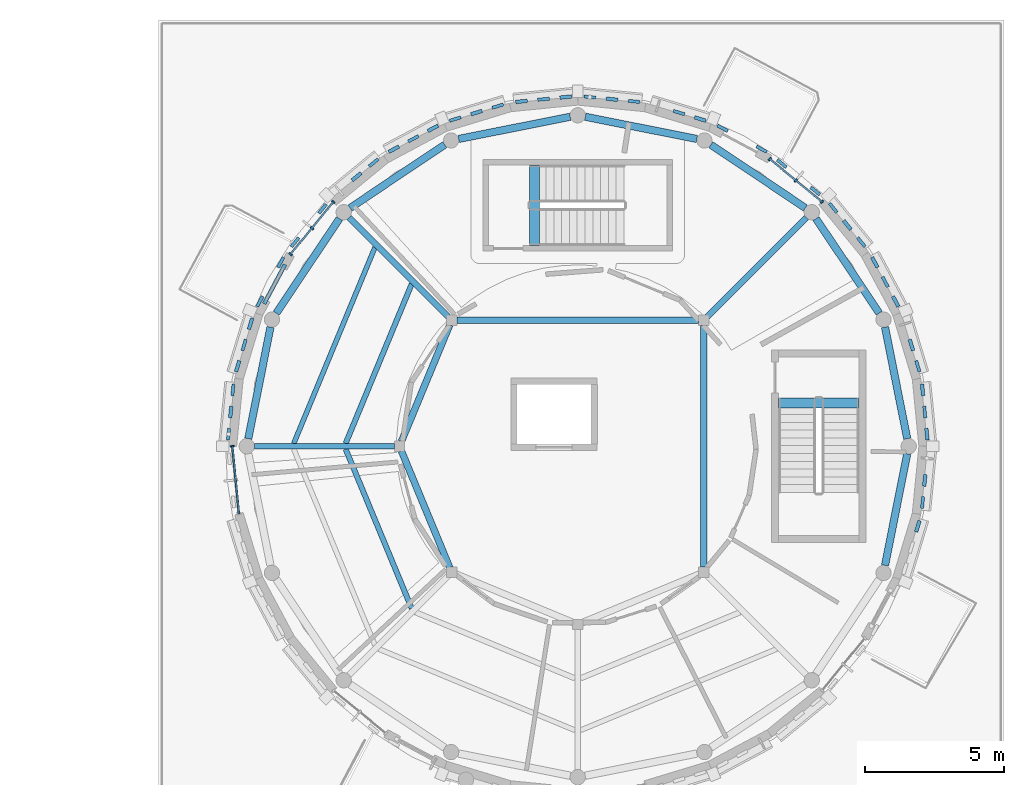
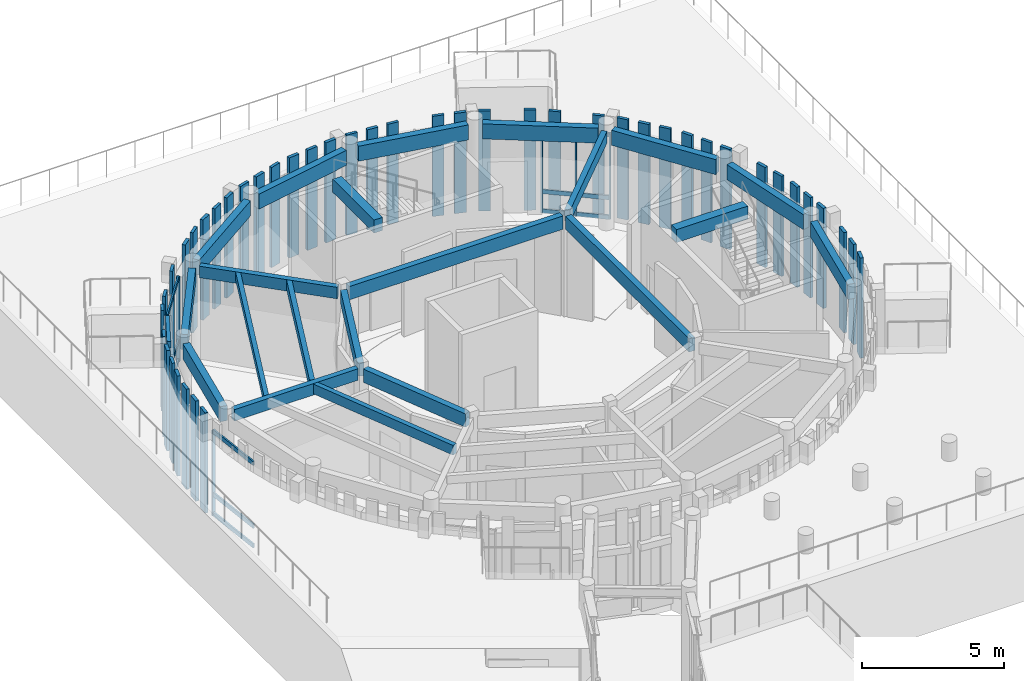
# One storey, part 31 of 94: 60 members, 22 beams, 3 elements without a shape of their own.
"""IFC4 building model written with IfcOpenShell, lengths in metres."""

from ifc_helpers import new_model, si_unit, direction, frame, origin, origin_2d, place, context, subcontext, project, spatial, rectangle, extrude, material, layer, layer_set, material_profile, profile_set, type_object, element, aggregate, save


model = new_model("IFC4")

# Units and contexts
model_context = context("Model", 3, precision=1e-05, world=origin(), true_north=direction((0.0, 1.0)))
body_context = subcontext(model_context, "Body", "Model", "MODEL_VIEW")
ifc_project = project(units=[si_unit("LENGTHUNIT", "METRE"), si_unit("AREAUNIT", "SQUARE_METRE"), si_unit("VOLUMEUNIT", "CUBIC_METRE"), si_unit("PLANEANGLEUNIT", "RADIAN"), si_unit("MASSUNIT", "GRAM", prefix="KILO")], contexts=[model_context])

# Site, building, storey
site_placement = place(None, origin())
site = spatial("IfcSite", under=ifc_project, at=site_placement, CompositionType="ELEMENT")
building_placement = place(site_placement, origin())
building = spatial("IfcBuilding", under=site, at=building_placement, Name="Aldenvaro Health Centre", CompositionType="ELEMENT")
storey_placement = place(building_placement, origin())
storey = spatial("IfcBuildingStorey", under=building, at=storey_placement, Name="L00", CompositionType="ELEMENT", Elevation=0.0)

# Beams
ifc_material_1 = material(Name="Glulam GL28h", Category="wood")
ifc_material_profile_1 = material_profile(ifc_material_1, rectangle(XDim=0.139892578125, YDim=0.280029296875, at=origin_2d()), Name="GL 140x280", Category="wood")
ifc_profile_set_1 = profile_set([ifc_material_profile_1], Name="Glulam GL28h")
beam_type_1 = type_object("IfcBeamType", Name="BM-GL-280", PredefinedType="LINTEL", material=ifc_profile_set_1)
beam_1_placement = place(storey_placement, frame((143.239990234375, 104.612060546875, 3.799072265625), z_axis=(0.471285168353, 0.881980889867, 0.0), x_axis=(-0.881980889867, 0.471285168353, 0.0)))
element("IfcBeam", 1, at=beam_1_placement, inside=storey, type_object=beam_type_1, Name="Portal Lintel Beam 10", PredefinedType="LINTEL", context=body_context, shape_type="SweptSolid", body=[
    extrude(rectangle(XDim=0.139892578125, YDim=0.280029296875, at=origin_2d()), origin(), (0.0, 0.0, 1.0), 1.599609375),
])
ifc_material_profile_2 = material_profile(ifc_material_1, rectangle(XDim=0.175048828125, YDim=0.35009765625, at=origin_2d()), Name="GL 175x350", Category="wood")
ifc_profile_set_2 = profile_set([ifc_material_profile_2], Name="Glulam GL28h")
beam_type_2 = type_object("IfcBeamType", Name="BM-GL-350", PredefinedType="JOIST", material=ifc_profile_set_2)
beam_2_placement = place(storey_placement, frame((147.220947265625, 106.637939453125, 4.1298828125), z_axis=(-0.382732904244, -0.923859039036, 0.0), x_axis=(0.923859039036, -0.382732904244, 0.0)))
element("IfcBeam", 2, at=beam_2_placement, inside=storey, type_object=beam_type_2, Name="D2 L00 secondary joist 02.2", PredefinedType="JOIST", context=body_context, shape_type="SweptSolid", body=[
    extrude(rectangle(XDim=0.175048828125, YDim=0.35009765625, at=origin_2d()), origin(), (0.0, 0.0, 1.0), 7.618896484375),
])
ifc_material_profile_3 = material_profile(ifc_material_1, rectangle(XDim=0.18994140625, YDim=0.41796875, at=origin_2d()), Name="GL 190x418", Category="wood")
ifc_profile_set_3 = profile_set([ifc_material_profile_3], Name="Glulam GL28h")
beam_type_3 = type_object("IfcBeamType", Name="BM-GL-418", PredefinedType="JOIST", material=ifc_profile_set_3)
for number, where, z_axis, x_axis, name in (
    (3, (148.5390625, 105.321044921875, 4.095947265625), (-0.382820589001, -0.923822708444, 0.0), (0.923822708444, -0.382820589001, 0.0), "D2 L00 secondary joist 02.1"),
    (4, (146.16796875, 99.40087890625, 4.095947265625), (0.382820589001, -0.923822708444, 0.0), (0.923822708444, 0.382820589001, 0.0), "D2 L00 secondary joist 03.1"),
):
    element("IfcBeam", number, at=place(storey_placement, frame(where, z_axis=z_axis, x_axis=x_axis)), inside=storey, type_object=beam_type_3, Name=name, PredefinedType="JOIST", context=body_context, shape_type="SweptSolid", body=[
        extrude(rectangle(XDim=0.18994140625, YDim=0.41796875, at=origin_2d()), origin(), (0.0, 0.0, 1.0), 6.19384765625),
    ])
ifc_material_profile_4 = material_profile(ifc_material_1, rectangle(XDim=0.215087890625, YDim=0.493896484375, at=origin_2d()), Name="GL 215x494", Category="wood")
ifc_profile_set_4 = profile_set([ifc_material_profile_4], Name="Glulam GL28h")
beam_type_4 = type_object("IfcBeamType", Name="BM-GL-494", PredefinedType="BEAM", material=ifc_profile_set_4)
for number, where, z_axis, x_axis, name in (
    (5, (159.154052734375, 104.154052734375, 4.05810546875), (0.707106781187, 0.707106781187, 0.0), (-0.707106781187, 0.707106781187, 0.0), "D2 L00 radial beam 01"),
    (6, (149.845947265625, 104.154052734375, 4.05810546875), (-0.707106781187, 0.707106781187, 0.0), (-0.707106781187, -0.707106781187, 0.0), "D2 L00 radial beam 02"),
):
    element("IfcBeam", number, at=place(storey_placement, frame(where, z_axis=z_axis, x_axis=x_axis)), inside=storey, type_object=beam_type_4, Name=name, PredefinedType="BEAM", context=body_context, shape_type="SweptSolid", body=[
        extrude(rectangle(XDim=0.215087890625, YDim=0.493896484375, at=origin_2d()), origin(), (0.0, 0.0, 1.0), 5.023193359375),
    ])
beam_3_placement = place(storey_placement, frame((147.9169921875, 99.5, 4.05810546875), z_axis=(-1.0, 0.0, 0.0), x_axis=(0.0, -1.0, 0.0)))
element("IfcBeam", 7, at=beam_3_placement, inside=storey, type_object=beam_type_4, Name="D2 L00 radial beam 03", PredefinedType="BEAM", context=body_context, shape_type="SweptSolid", body=[
    extrude(rectangle(XDim=0.215087890625, YDim=0.493896484375, at=origin_2d()), origin(), (0.0, 0.0, 1.0), 5.02197265625),
])
ifc_material_profile_5 = material_profile(ifc_material_1, rectangle(XDim=0.239990234375, YDim=0.570068359375, at=origin_2d()), Name="GL 240x570", Category="wood")
ifc_profile_set_5 = profile_set([ifc_material_profile_5], Name="Glulam GL28h")
beam_type_5 = type_object("IfcBeamType", Name="BM-GL-570", PredefinedType="BEAM", material=ifc_profile_set_5)
beam_4_placement = place(storey_placement, frame((158.843017578125, 104.02490234375, 4.02001953125), z_axis=(-1.0, 0.0, 0.0), x_axis=(0.0, -1.0, 0.0)))
element("IfcBeam", 8, at=beam_4_placement, inside=storey, type_object=beam_type_5, Name="D2 L00 inner ring beam 01", PredefinedType="BEAM", context=body_context, shape_type="SweptSolid", body=[
    extrude(rectangle(XDim=0.239990234375, YDim=0.570068359375, at=origin_2d()), origin(), (0.0, 0.0, 1.0), 8.68603515625),
])
for number, where, z_axis, x_axis, name in (
    (9, (149.905029296875, 103.85595703125, 4.02001953125), (-0.382832277795, -0.923817864667, 0.0), (0.923817864667, -0.382832277795, 0.0), "D2 L00 inner ring beam 02"),
    (10, (148.169921875, 99.3310546875, 4.02001953125), (0.382832277795, -0.923817864667, 0.0), (0.923817864667, 0.382832277795, 0.0), "D2 L00 inner ring beam 03"),
):
    element("IfcBeam", number, at=place(storey_placement, frame(where, z_axis=z_axis, x_axis=x_axis)), inside=storey, type_object=beam_type_5, Name=name, PredefinedType="BEAM", context=body_context, shape_type="SweptSolid", body=[
        extrude(rectangle(XDim=0.239990234375, YDim=0.570068359375, at=origin_2d()), origin(), (0.0, 0.0, 1.0), 4.5322265625),
    ])
beam_5_placement = place(storey_placement, frame((159.02490234375, 95.156982421875, 4.02001953125), z_axis=(0.0, 1.0, 0.0), x_axis=(-1.0, 0.0, 0.0)))
element("IfcBeam", 11, at=beam_5_placement, inside=storey, type_object=beam_type_5, Name="D2 L00 inner ring beam 06", PredefinedType="BEAM", context=body_context, shape_type="SweptSolid", body=[
    extrude(rectangle(XDim=0.239990234375, YDim=0.570068359375, at=origin_2d()), origin(), (0.0, 0.0, 1.0), 8.68603515625),
])
ifc_material_profile_6 = material_profile(ifc_material_1, rectangle(XDim=0.264892578125, YDim=0.64599609375, at=origin_2d()), Name="GL 265x646", Category="wood")
ifc_profile_set_6 = profile_set([ifc_material_profile_6], Name="Glulam GL28h")
beam_type_6 = type_object("IfcBeamType", Name="BM-GL-646", PredefinedType="SPANDREL", material=ifc_profile_set_6)
beam_6_placement = place(storey_placement, frame((166.325927734375, 99.77001953125, 3.98193359375), z_axis=(-0.194874446549, 0.980828196007, 0.0), x_axis=(-0.980828196007, -0.194874446549, 0.0)))
element("IfcBeam", 12, at=beam_6_placement, inside=storey, type_object=beam_type_6, Name="D2 L00 perimeter spandrel 01", PredefinedType="SPANDREL", context=body_context, shape_type="SweptSolid", body=[
    extrude(rectangle(XDim=0.264892578125, YDim=0.64599609375, at=origin_2d()), origin(), (0.0, 0.0, 1.0), 4.084228515625),
])
for number, where, z_axis, x_axis, name in (
    (13, (165.322998046875, 104.27490234375, 3.98193359375), (-0.555720427957, 0.83136923563, 0.0), (-0.83136923563, -0.555720427957, 0.0), "D2 L00 perimeter spandrel 02"),
    (14, (162.6708984375, 108.052978515625, 3.98193359375), (-0.83136923563, 0.555720427957, 0.0), (-0.555720427957, -0.83136923563, 0.0), "D2 L00 perimeter spandrel 03"),
):
    element("IfcBeam", number, at=place(storey_placement, frame(where, z_axis=z_axis, x_axis=x_axis)), inside=storey, type_object=beam_type_6, Name=name, PredefinedType="SPANDREL", context=body_context, shape_type="SweptSolid", body=[
        extrude(rectangle(XDim=0.264892578125, YDim=0.64599609375, at=origin_2d()), origin(), (0.0, 0.0, 1.0), 4.084716796875),
    ])
for number, where, z_axis, x_axis, name in (
    (15, (158.77587890625, 110.530029296875, 3.98193359375), (-0.980828196007, 0.194874446549, 0.0), (-0.194874446549, -0.980828196007, 0.0), "D2 L00 perimeter spandrel 04"),
    (16, (154.22998046875, 111.325927734375, 3.98193359375), (-0.980828196007, -0.194874446549, 0.0), (0.194874446549, -0.980828196007, 0.0), "D2 L00 perimeter spandrel 05"),
):
    element("IfcBeam", number, at=place(storey_placement, frame(where, z_axis=z_axis, x_axis=x_axis)), inside=storey, type_object=beam_type_6, Name=name, PredefinedType="SPANDREL", context=body_context, shape_type="SweptSolid", body=[
        extrude(rectangle(XDim=0.264892578125, YDim=0.64599609375, at=origin_2d()), origin(), (0.0, 0.0, 1.0), 4.084228515625),
    ])
for number, where, z_axis, x_axis, name in (
    (17, (149.72509765625, 110.322998046875, 3.98193359375), (-0.83136923563, -0.555720427957, 0.0), (0.555720427957, -0.83136923563, 0.0), "D2 L00 perimeter spandrel 06"),
    (18, (145.947021484375, 107.6708984375, 3.98193359375), (-0.555720427957, -0.83136923563, 0.0), (0.83136923563, -0.555720427957, 0.0), "D2 L00 perimeter spandrel 07"),
):
    element("IfcBeam", number, at=place(storey_placement, frame(where, z_axis=z_axis, x_axis=x_axis)), inside=storey, type_object=beam_type_6, Name=name, PredefinedType="SPANDREL", context=body_context, shape_type="SweptSolid", body=[
        extrude(rectangle(XDim=0.264892578125, YDim=0.64599609375, at=origin_2d()), origin(), (0.0, 0.0, 1.0), 4.084716796875),
    ])
for number, where, z_axis, x_axis, name in (
    (19, (143.469970703125, 103.77587890625, 3.98193359375), (-0.194874446549, -0.980828196007, 0.0), (0.980828196007, -0.194874446549, 0.0), "D2 L00 perimeter spandrel 08"),
    (20, (165.530029296875, 95.22412109375, 3.98193359375), (0.194874446549, 0.980828196007, 0.0), (-0.980828196007, 0.194874446549, 0.0), "D2 L00 perimeter spandrel 16"),
):
    element("IfcBeam", number, at=place(storey_placement, frame(where, z_axis=z_axis, x_axis=x_axis)), inside=storey, type_object=beam_type_6, Name=name, PredefinedType="SPANDREL", context=body_context, shape_type="SweptSolid", body=[
        extrude(rectangle(XDim=0.264892578125, YDim=0.64599609375, at=origin_2d()), origin(), (0.0, 0.0, 1.0), 4.084228515625),
    ])
ifc_material_2 = material(Name="Concrete f'c 40 MPa", Category="concrete")
ifc_material_profile_7 = material_profile(ifc_material_2, rectangle(XDim=0.35009765625, YDim=0.56005859375, at=origin_2d()), Name="RC 350x560", Category="concrete")
ifc_profile_set_7 = profile_set([ifc_material_profile_7], Name="Concrete f'c 40 MPa")
beam_type_7 = type_object("IfcBeamType", Name="BM-RC-560", PredefinedType="JOIST", material=ifc_profile_set_7)
for number, where, z_axis, x_axis, name in (
    (21, (161.699951171875, 101.050048828125, 4.27001953125), (1.0, 0.0, 0.0), (0.0, 1.0, 0.0), "ST-03 L01 stair landing trimmer beam"),
    (22, (152.949951171875, 106.699951171875, 4.27001953125), (0.0, 1.0, 0.0), (-1.0, 0.0, 0.0), "ST-04 L01 stair landing trimmer beam"),
):
    element("IfcBeam", number, at=place(storey_placement, frame(where, z_axis=z_axis, x_axis=x_axis)), inside=storey, type_object=beam_type_7, Name=name, PredefinedType="JOIST", context=body_context, shape_type="SweptSolid", body=[
        extrude(rectangle(XDim=0.35009765625, YDim=0.56005859375, at=origin_2d()), origin(), (0.0, 0.0, 1.0), 2.900146484375),
    ])

# Curtain wall, member
ifc_material_3 = material(Name="Anodised Aluminium 6063-T6", Category="aluminium")
ifc_layer = layer(ifc_material_3, 0.195068359375, Name="Anodised Aluminium 6063-T6", Category="aluminium")
ifc_layer_set = layer_set([ifc_layer], Name="Anodised Aluminium 6063-T6")
curtain_wall_type = type_object("IfcCurtainWallType", Name="CW-CLN-02", PredefinedType="NOTDEFINED", material=ifc_layer_set)
curtain_wall_1_placement = place(storey_placement, origin())
curtain_wall_1 = element("IfcCurtainWall", 23, at=curtain_wall_1_placement, inside=storey, type_object=curtain_wall_type, Name="D2 L00 curtain wall bay 16", PredefinedType="NOTDEFINED")
ifc_material_profile_8 = material_profile(ifc_material_3, rectangle(XDim=0.06005859375, YDim=0.135009765625, at=origin_2d()), Name="ALU 60x135", Category="aluminium")
ifc_profile_set_8 = profile_set([ifc_material_profile_8], Name="Anodised Aluminium 6063-T6")
member_type_1 = type_object("IfcMemberType", Name="CWM-150", PredefinedType="MULLION", material=ifc_profile_set_8)
member_1_placement = place(storey_placement, frame((142.10009765625, 99.5, 0.0), z_axis=(0.0, 0.0, 1.0), x_axis=(-0.097914988926, 0.995194782414, 0.0)))
member_1 = element("IfcMember", 24, at=member_1_placement, type_object=member_type_1, Name="D2 L00 curtain wall bay 16 mullion 3", PredefinedType="MULLION", context=body_context, shape_type="SweptSolid", body=[
    extrude(rectangle(XDim=0.06005859375, YDim=0.135009765625, at=origin_2d()), origin(), (0.0, 0.0, 1.0), 3.658935546875),
])

# Curtain wall, members
curtain_wall_2_placement = place(storey_placement, origin())
curtain_wall_2 = element("IfcCurtainWall", 25, at=curtain_wall_2_placement, inside=storey, type_object=curtain_wall_type, Name="D2 L00 curtain wall bay 20", PredefinedType="NOTDEFINED")
member_2_placement = place(storey_placement, frame((144.18994140625, 106.388916015625, 0.0), z_axis=(0.0, 0.0, 1.0), x_axis=(0.634379653268, 0.773021639749, 0.0)))
member_2 = element("IfcMember", 26, at=member_2_placement, type_object=member_type_1, Name="D2 L00 curtain wall bay 20 mullion 1", PredefinedType="MULLION", context=body_context, shape_type="SweptSolid", body=[
    extrude(rectangle(XDim=0.06005859375, YDim=0.135009765625, at=origin_2d()), origin(), (0.0, 0.0, 1.0), 3.658935546875),
])
member_3_placement = place(storey_placement, frame((144.9609375, 107.327880859375, 0.0), z_axis=(0.0, 0.0, 1.0), x_axis=(0.634379653268, 0.773021639749, 0.0)))
member_3 = element("IfcMember", 27, at=member_3_placement, type_object=member_type_1, Name="D2 L00 curtain wall bay 20 mullion 2", PredefinedType="MULLION", context=body_context, shape_type="SweptSolid", body=[
    extrude(rectangle(XDim=0.06005859375, YDim=0.135009765625, at=origin_2d()), origin(), (0.0, 0.0, 1.0), 3.658935546875),
])
member_4_placement = place(storey_placement, frame((145.73193359375, 108.26806640625, 0.0), z_axis=(0.0, 0.0, 1.0), x_axis=(0.634379653268, 0.773021639749, 0.0)))
member_4 = element("IfcMember", 28, at=member_4_placement, type_object=member_type_1, Name="D2 L00 curtain wall bay 20 mullion 3", PredefinedType="MULLION", context=body_context, shape_type="SweptSolid", body=[
    extrude(rectangle(XDim=0.06005859375, YDim=0.135009765625, at=origin_2d()), origin(), (0.0, 0.0, 1.0), 3.658935546875),
])

curtain_wall_3_placement = place(storey_placement, origin())
curtain_wall_3 = element("IfcCurtainWall", 29, at=curtain_wall_3_placement, inside=storey, type_object=curtain_wall_type, Name="D2 L00 curtain wall bay 28", PredefinedType="NOTDEFINED")
member_5_placement = place(storey_placement, frame((161.388916015625, 109.81005859375, 0.0), z_axis=(0.0, 0.0, 1.0), x_axis=(0.773021639749, -0.634379653268, 0.0)))
member_5 = element("IfcMember", 30, at=member_5_placement, type_object=member_type_1, Name="D2 L00 curtain wall bay 28 mullion 1", PredefinedType="MULLION", context=body_context, shape_type="SweptSolid", body=[
    extrude(rectangle(XDim=0.06005859375, YDim=0.135009765625, at=origin_2d()), origin(), (0.0, 0.0, 1.0), 3.658935546875),
])
member_6_placement = place(storey_placement, frame((162.3291015625, 109.0390625, 0.0), z_axis=(0.0, 0.0, 1.0), x_axis=(0.773021639749, -0.634379653268, 0.0)))
member_6 = element("IfcMember", 31, at=member_6_placement, type_object=member_type_1, Name="D2 L00 curtain wall bay 28 mullion 2", PredefinedType="MULLION", context=body_context, shape_type="SweptSolid", body=[
    extrude(rectangle(XDim=0.06005859375, YDim=0.135009765625, at=origin_2d()), origin(), (0.0, 0.0, 1.0), 3.658935546875),
])
member_7_placement = place(storey_placement, frame((163.26806640625, 108.26806640625, 0.0), z_axis=(0.0, 0.0, 1.0), x_axis=(0.773021639749, -0.634379653268, 0.0)))
member_7 = element("IfcMember", 32, at=member_7_placement, type_object=member_type_1, Name="D2 L00 curtain wall bay 28 mullion 3", PredefinedType="MULLION", context=body_context, shape_type="SweptSolid", body=[
    extrude(rectangle(XDim=0.06005859375, YDim=0.135009765625, at=origin_2d()), origin(), (0.0, 0.0, 1.0), 3.658935546875),
])

# Member
ifc_material_profile_9 = material_profile(ifc_material_3, rectangle(XDim=0.06494140625, YDim=0.179931640625, at=origin_2d()), Name="ALU 65x180", Category="aluminium")
ifc_profile_set_9 = profile_set([ifc_material_profile_9], Name="Anodised Aluminium 6063-T6")
member_type_2 = type_object("IfcMemberType", Name="CWT-150", PredefinedType="USERDEFINED", material=ifc_profile_set_9)
member_8_placement = place(storey_placement, frame((142.337890625, 97.0810546875, 0.06005859375), z_axis=(-0.097832820839, 0.995202863323, 0.0), x_axis=(-0.995202863323, -0.097832820839, 0.0)))
member_8 = element("IfcMember", 33, at=member_8_placement, type_object=member_type_2, Name="D2 L00 curtain wall bay 16 transom 1", ObjectType="TRANSOM", PredefinedType="USERDEFINED", context=body_context, shape_type="SweptSolid", body=[
    extrude(rectangle(XDim=0.06494140625, YDim=0.179931640625, at=origin_2d()), origin(), (0.0, 0.0, 1.0), 2.4306640625),
])

member_9_placement = place(storey_placement, frame((142.337890625, 97.0810546875, 0.89990234375), z_axis=(-0.097832820839, 0.995202863323, 0.0), x_axis=(-0.995202863323, -0.097832820839, 0.0)))
member_9 = element("IfcMember", 34, at=member_9_placement, type_object=member_type_2, Name="D2 L00 curtain wall bay 16 transom 2", ObjectType="TRANSOM", PredefinedType="USERDEFINED", context=body_context, shape_type="SweptSolid", body=[
    extrude(rectangle(XDim=0.06494140625, YDim=0.179931640625, at=origin_2d()), origin(), (0.0, 0.0, 1.0), 2.4306640625),
])

member_10_placement = place(storey_placement, frame((142.337890625, 97.0810546875, 3.59912109375), z_axis=(-0.097832820839, 0.995202863323, 0.0), x_axis=(-0.995202863323, -0.097832820839, 0.0)))
member_10 = element("IfcMember", 35, at=member_10_placement, type_object=member_type_2, Name="D2 L00 curtain wall bay 16 transom 3", ObjectType="TRANSOM", PredefinedType="USERDEFINED", context=body_context, shape_type="SweptSolid", body=[
    extrude(rectangle(XDim=0.06494140625, YDim=0.179931640625, at=origin_2d()), origin(), (0.0, 0.0, 1.0), 2.4306640625),
])

aggregate(curtain_wall_1, [member_1, member_8, member_9, member_10])

member_11_placement = place(storey_placement, frame((144.18994140625, 106.388916015625, 0.06005859375), z_axis=(0.634347392822, 0.773048113134, 0.0), x_axis=(-0.773048113134, 0.634347392822, 0.0)))
member_11 = element("IfcMember", 36, at=member_11_placement, type_object=member_type_2, Name="D2 L00 curtain wall bay 20 transom 1", ObjectType="TRANSOM", PredefinedType="USERDEFINED", context=body_context, shape_type="SweptSolid", body=[
    extrude(rectangle(XDim=0.06494140625, YDim=0.179931640625, at=origin_2d()), origin(), (0.0, 0.0, 1.0), 2.430908203125),
])

member_12_placement = place(storey_placement, frame((144.18994140625, 106.388916015625, 0.89990234375), z_axis=(0.634347392822, 0.773048113134, 0.0), x_axis=(-0.773048113134, 0.634347392822, 0.0)))
member_12 = element("IfcMember", 37, at=member_12_placement, type_object=member_type_2, Name="D2 L00 curtain wall bay 20 transom 2", ObjectType="TRANSOM", PredefinedType="USERDEFINED", context=body_context, shape_type="SweptSolid", body=[
    extrude(rectangle(XDim=0.06494140625, YDim=0.179931640625, at=origin_2d()), origin(), (0.0, 0.0, 1.0), 2.430908203125),
])

member_13_placement = place(storey_placement, frame((144.18994140625, 106.388916015625, 3.59912109375), z_axis=(0.634347392822, 0.773048113134, 0.0), x_axis=(-0.773048113134, 0.634347392822, 0.0)))
member_13 = element("IfcMember", 38, at=member_13_placement, type_object=member_type_2, Name="D2 L00 curtain wall bay 20 transom 3", ObjectType="TRANSOM", PredefinedType="USERDEFINED", context=body_context, shape_type="SweptSolid", body=[
    extrude(rectangle(XDim=0.06494140625, YDim=0.179931640625, at=origin_2d()), origin(), (0.0, 0.0, 1.0), 2.430908203125),
])

aggregate(curtain_wall_2, [member_2, member_3, member_4, member_11, member_12, member_13])

member_14_placement = place(storey_placement, frame((161.388916015625, 109.81005859375, 0.06005859375), z_axis=(0.773048113134, -0.634347392822, 0.0), x_axis=(0.634347392822, 0.773048113134, 0.0)))
member_14 = element("IfcMember", 39, at=member_14_placement, type_object=member_type_2, Name="D2 L00 curtain wall bay 28 transom 1", ObjectType="TRANSOM", PredefinedType="USERDEFINED", context=body_context, shape_type="SweptSolid", body=[
    extrude(rectangle(XDim=0.06494140625, YDim=0.179931640625, at=origin_2d()), origin(), (0.0, 0.0, 1.0), 2.430908203125),
])

member_15_placement = place(storey_placement, frame((161.388916015625, 109.81005859375, 0.89990234375), z_axis=(0.773048113134, -0.634347392822, 0.0), x_axis=(0.634347392822, 0.773048113134, 0.0)))
member_15 = element("IfcMember", 40, at=member_15_placement, type_object=member_type_2, Name="D2 L00 curtain wall bay 28 transom 2", ObjectType="TRANSOM", PredefinedType="USERDEFINED", context=body_context, shape_type="SweptSolid", body=[
    extrude(rectangle(XDim=0.06494140625, YDim=0.179931640625, at=origin_2d()), origin(), (0.0, 0.0, 1.0), 2.430908203125),
])

member_16_placement = place(storey_placement, frame((161.388916015625, 109.81005859375, 3.59912109375), z_axis=(0.773048113134, -0.634347392822, 0.0), x_axis=(0.634347392822, 0.773048113134, 0.0)))
member_16 = element("IfcMember", 41, at=member_16_placement, type_object=member_type_2, Name="D2 L00 curtain wall bay 28 transom 3", ObjectType="TRANSOM", PredefinedType="USERDEFINED", context=body_context, shape_type="SweptSolid", body=[
    extrude(rectangle(XDim=0.06494140625, YDim=0.179931640625, at=origin_2d()), origin(), (0.0, 0.0, 1.0), 2.430908203125),
])

aggregate(curtain_wall_3, [member_5, member_6, member_7, member_14, member_15, member_16])

# Members
ifc_material_profile_10 = material_profile(ifc_material_1, rectangle(XDim=0.114990234375, YDim=0.419921875, at=origin_2d()), Name="GL 115x420", Category="wood")
ifc_profile_set_10 = profile_set([ifc_material_profile_10], Name="Glulam GL28h")
member_type_3 = type_object("IfcMemberType", Name="MEM-SLT-420A", PredefinedType="POST", material=ifc_profile_set_10)
for number, where, z_axis, x_axis, name in (
    (42, (166.876953125, 97.48193359375, 0.0), (0.0, 0.0, 1.0), (0.995194782414, -0.097914988926, 0.0), "D2 L00 vertical timber slat 1.3"),
    (43, (141.967041015625, 99.93505859375, 0.0), (0.0, 0.0, 1.0), (-0.995194782414, 0.097914988926, 0.0), "D2 L00 vertical timber slat 17.1"),
    (44, (142.123046875, 101.51806640625, 0.0), (0.0, 0.0, 1.0), (-0.995194782414, 0.097914988926, 0.0), "D2 L00 vertical timber slat 17.3"),
    (45, (142.52392578125, 103.133056640625, 0.0), (0.0, 0.0, 1.0), (-0.956892827403, 0.290441245116, 0.0), "D2 L00 vertical timber slat 18.2"),
    (46, (143.087890625, 104.697998046875, 0.0), (0.0, 0.0, 1.0), (-0.881919874971, 0.471399336159, 0.0), "D2 L00 vertical timber slat 19.1"),
    (47, (143.837890625, 106.10107421875, 0.0), (0.0, 0.0, 1.0), (-0.881919874971, 0.471399336159, 0.0), "D2 L00 vertical timber slat 19.3"),
    (48, (144.35205078125, 106.822021484375, 0.0), (0.0, 0.0, 1.0), (-0.773021639749, 0.634379653268, 0.0), "D2 L00 curtain mullion timber slat 20"),
    (49, (145.337890625, 108.02490234375, 0.0), (0.0, 0.0, 1.0), (-0.773021639749, 0.634379653268, 0.0), "D2 L00 curtain mullion timber slat 20"),
    (50, (147.175048828125, 109.678955078125, 0.0), (0.0, 0.0, 1.0), (-0.634379653268, 0.773021639749, 0.0), "D2 L00 vertical timber slat 21.3"),
    (51, (148.60107421875, 110.537109375, 0.0), (0.0, 0.0, 1.0), (-0.471399336159, 0.881919874971, 0.0), "D2 L00 vertical timber slat 22.2"),
    (52, (150.10595703125, 111.2451171875, 0.0), (0.0, 0.0, 1.0), (-0.290441245116, 0.956892827403, 0.0), "D2 L00 vertical timber slat 23.1"),
    (53, (151.6279296875, 111.70703125, 0.0), (0.0, 0.0, 1.0), (-0.290441245116, 0.956892827403, 0.0), "D2 L00 vertical timber slat 23.3"),
    (54, (153.27294921875, 111.955078125, 0.0), (0.0, 0.0, 1.0), (-0.097914988926, 0.995194782414, 0.0), "D2 L00 vertical timber slat 24.2"),
    (55, (154.93505859375, 112.032958984375, 0.0), (0.0, 0.0, 1.0), (0.097914988926, 0.995194782414, 0.0), "D2 L00 vertical timber slat 25.1"),
    (56, (156.51806640625, 111.876953125, 0.0), (0.0, 0.0, 1.0), (0.097914988926, 0.995194782414, 0.0), "D2 L00 vertical timber slat 25.3"),
    (57, (158.133056640625, 111.47607421875, 0.0), (0.0, 0.0, 1.0), (0.290441245116, 0.956892827403, 0.0), "D2 L00 vertical timber slat 26.2"),
    (58, (159.697998046875, 110.912109375, 0.0), (0.0, 0.0, 1.0), (0.471399336159, 0.881919874971, 0.0), "D2 L00 vertical timber slat 27.1"),
    (59, (161.10107421875, 110.162109375, 0.0), (0.0, 0.0, 1.0), (0.471399336159, 0.881919874971, 0.0), "D2 L00 vertical timber slat 27.3"),
    (60, (161.822021484375, 109.64794921875, 0.0), (0.0, 0.0, 1.0), (0.634379653268, 0.773021639749, 0.0), "D2 L00 curtain mullion timber slat 28"),
    (61, (163.02490234375, 108.662109375, 0.0), (0.0, 0.0, 1.0), (0.634379653268, 0.773021639749, 0.0), "D2 L00 curtain mullion timber slat 28"),
    (62, (163.669921875, 108.053955078125, 0.0), (0.0, 0.0, 1.0), (0.773021639749, 0.634379653268, 0.0), "D2 L00 vertical timber slat 29.1"),
    (63, (164.678955078125, 106.824951171875, 0.0), (0.0, 0.0, 1.0), (0.773021639749, 0.634379653268, 0.0), "D2 L00 vertical timber slat 29.3"),
    (64, (165.537109375, 105.39892578125, 0.0), (0.0, 0.0, 1.0), (0.881919874971, 0.471399336159, 0.0), "D2 L00 vertical timber slat 30.2"),
    (65, (166.70703125, 102.3720703125, 0.0), (0.0, 0.0, 1.0), (0.956892827403, 0.290441245116, 0.0), "D2 L00 vertical timber slat 31.3"),
    (66, (166.955078125, 100.72705078125, 0.0), (0.0, 0.0, 1.0), (0.995194782414, 0.097914988926, 0.0), "D2 L00 vertical timber slat 32.2"),
):
    element("IfcMember", number, at=place(storey_placement, frame(where, z_axis=z_axis, x_axis=x_axis)), inside=storey, type_object=member_type_3, Name=name, PredefinedType="POST", context=body_context, shape_type="SweptSolid", body=[
        extrude(rectangle(XDim=0.114990234375, YDim=0.419921875, at=origin_2d()), origin(), (0.0, 0.0, 1.0), 4.304931640625),
    ])
ifc_material_profile_11 = material_profile(ifc_material_1, rectangle(XDim=0.1298828125, YDim=0.419921875, at=origin_2d()), Name="GL 130x420", Category="wood")
ifc_profile_set_11 = profile_set([ifc_material_profile_11], Name="Glulam GL28h")
member_type_4 = type_object("IfcMemberType", Name="MEM-SLT-420B", PredefinedType="POST", material=ifc_profile_set_11)
for number, where, z_axis, x_axis, name in (
    (67, (166.955078125, 98.27294921875, 0.0), (0.0, 0.0, 1.0), (0.995194782414, -0.097914988926, 0.0), "D2 L00 vertical timber slat 1.2"),
    (68, (166.70703125, 96.6279296875, 0.0), (0.0, 0.0, 1.0), (0.956892827403, -0.290441245116, 0.0), "D2 L00 vertical timber slat 2.1"),
    (69, (142.044921875, 100.72705078125, 0.0), (0.0, 0.0, 1.0), (-0.995194782414, 0.097914988926, 0.0), "D2 L00 vertical timber slat 17.2"),
    (70, (142.29296875, 102.3720703125, 0.0), (0.0, 0.0, 1.0), (-0.956892827403, 0.290441245116, 0.0), "D2 L00 vertical timber slat 18.1"),
    (71, (142.7548828125, 103.89404296875, 0.0), (0.0, 0.0, 1.0), (-0.956892827403, 0.290441245116, 0.0), "D2 L00 vertical timber slat 18.3"),
    (72, (146.56005859375, 109.174072265625, 0.0), (0.0, 0.0, 1.0), (-0.634379653268, 0.773021639749, 0.0), "D2 L00 vertical timber slat 21.2"),
    (73, (147.89892578125, 110.162109375, 0.0), (0.0, 0.0, 1.0), (-0.471399336159, 0.881919874971, 0.0), "D2 L00 vertical timber slat 22.1"),
    (74, (149.302001953125, 110.912109375, 0.0), (0.0, 0.0, 1.0), (-0.471399336159, 0.881919874971, 0.0), "D2 L00 vertical timber slat 22.3"),
    (75, (150.866943359375, 111.47607421875, 0.0), (0.0, 0.0, 1.0), (-0.290441245116, 0.956892827403, 0.0), "D2 L00 vertical timber slat 23.2"),
    (76, (152.48193359375, 111.876953125, 0.0), (0.0, 0.0, 1.0), (-0.097914988926, 0.995194782414, 0.0), "D2 L00 vertical timber slat 24.1"),
    (77, (154.06494140625, 112.032958984375, 0.0), (0.0, 0.0, 1.0), (-0.097914988926, 0.995194782414, 0.0), "D2 L00 vertical timber slat 24.3"),
    (78, (155.72705078125, 111.955078125, 0.0), (0.0, 0.0, 1.0), (0.097914988926, 0.995194782414, 0.0), "D2 L00 vertical timber slat 25.2"),
    (79, (158.89404296875, 111.2451171875, 0.0), (0.0, 0.0, 1.0), (0.290441245116, 0.956892827403, 0.0), "D2 L00 vertical timber slat 26.3"),
    (80, (164.174072265625, 107.43994140625, 0.0), (0.0, 0.0, 1.0), (0.773021639749, 0.634379653268, 0.0), "D2 L00 vertical timber slat 29.2"),
    (81, (165.162109375, 106.10107421875, 0.0), (0.0, 0.0, 1.0), (0.881919874971, 0.471399336159, 0.0), "D2 L00 vertical timber slat 30.1"),
    (82, (165.912109375, 104.697998046875, 0.0), (0.0, 0.0, 1.0), (0.881919874971, 0.471399336159, 0.0), "D2 L00 vertical timber slat 30.3"),
    (83, (166.47607421875, 103.133056640625, 0.0), (0.0, 0.0, 1.0), (0.956892827403, 0.290441245116, 0.0), "D2 L00 vertical timber slat 31.2"),
    (84, (166.876953125, 101.51806640625, 0.0), (0.0, 0.0, 1.0), (0.995194782414, 0.097914988926, 0.0), "D2 L00 vertical timber slat 32.1"),
    (85, (167.032958984375, 99.93505859375, 0.0), (0.0, 0.0, 1.0), (0.995194782414, 0.097914988926, 0.0), "D2 L00 vertical timber slat 32.3"),
):
    element("IfcMember", number, at=place(storey_placement, frame(where, z_axis=z_axis, x_axis=x_axis)), inside=storey, type_object=member_type_4, Name=name, PredefinedType="POST", context=body_context, shape_type="SweptSolid", body=[
        extrude(rectangle(XDim=0.1298828125, YDim=0.419921875, at=origin_2d()), origin(), (0.0, 0.0, 1.0), 4.304931640625),
    ])

save(model, "model.ifc")
